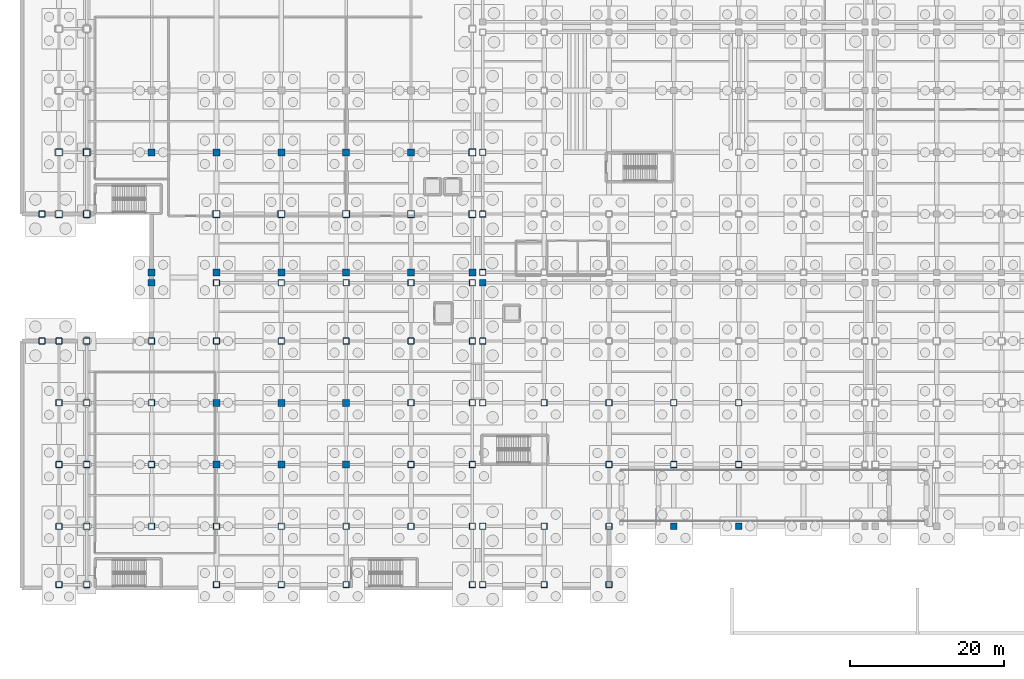
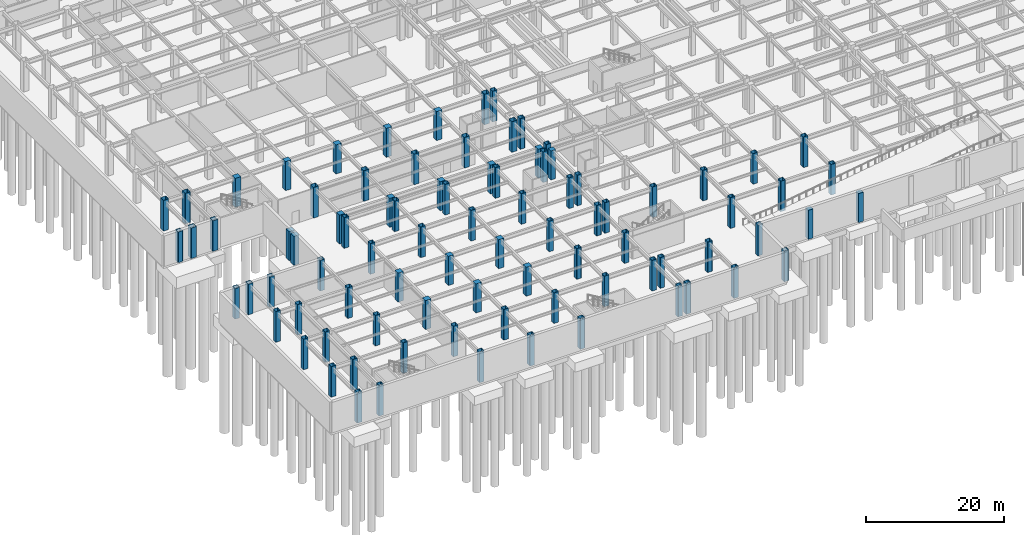
# One storey, part 15 of 55: 88 columns.
"""IFC4 building model written with IfcOpenShell, lengths in metres."""

from ifc_helpers import new_model, si_unit, direction, frame, origin, origin_2d, place, context, subcontext, project, spatial, rectangle, hollow_rectangle, extrude, material, material_profile, profile_set, type_object, element, save


model = new_model("IFC4")

# Units and contexts
model_context = context("Model", 3, precision=1e-05, world=origin(), true_north=direction((0.0, 1.0)))
body_context = subcontext(model_context, "Body", "Model", "MODEL_VIEW")
ifc_project = project(units=[si_unit("LENGTHUNIT", "METRE"), si_unit("AREAUNIT", "SQUARE_METRE"), si_unit("VOLUMEUNIT", "CUBIC_METRE"), si_unit("PLANEANGLEUNIT", "RADIAN"), si_unit("MASSUNIT", "GRAM", prefix="KILO")], contexts=[model_context])

# Site, building, storey
site_placement = place(None, origin())
site = spatial("IfcSite", under=ifc_project, at=site_placement, CompositionType="ELEMENT")
building_placement = place(site_placement, origin())
building = spatial("IfcBuilding", under=site, at=building_placement, Name="Kazehara Bluff Congress Hotel", CompositionType="ELEMENT")
storey_placement = place(building_placement, frame((0.0, 0.0, -5.39990234375)))
storey = spatial("IfcBuildingStorey", under=building, at=storey_placement, Name="B1", CompositionType="ELEMENT", Elevation=-5.39990234375)

# Columns
ifc_material_1 = material(Name="Steel BCR295", Category="steel")
ifc_material_profile_1 = material_profile(ifc_material_1, hollow_rectangle(XDim=0.89990234375, YDim=0.89990234375, WallThickness=0.031982421875, InnerFilletRadius=0.031982421875, OuterFilletRadius=0.06396484375, at=origin_2d()))
ifc_profile_set_1 = profile_set([ifc_material_profile_1], Name="Steel BCR295")
column_type_1 = type_object("IfcColumnType", Name="TP-C-01", PredefinedType="COLUMN", material=ifc_profile_set_1)
for number, where, z_axis, x_axis, name in (
    (1, (4.800048828125, 48.449951171875, 0.0), (0.0, 0.0, 1.0), (1.0, 0.0, 0.0), "B1 mega-column C-01 (4.80,48.45)"),
    (2, (4.800048828125, 56.449951171875, 0.0), (0.0, 0.0, 1.0), (1.0, 0.0, 0.0), "B1 mega-column C-01 (4.80,56.45)"),
    (3, (8.39990234375, 48.449951171875, 0.0), (0.0, 0.0, 1.0), (1.0, 0.0, 0.0), "B1 mega-column C-01 (8.40,48.45)"),
    (4, (8.39990234375, 56.449951171875, 0.0), (0.0, 0.0, 1.0), (1.0, 0.0, 0.0), "B1 mega-column C-01 (8.40,56.45)"),
    (5, (25.199951171875, 48.449951171875, 0.0), (0.0, 0.0, 1.0), (1.0, 0.0, 0.0), "B1 mega-column C-01 (25.20,48.45)"),
    (6, (33.60009765625, 48.449951171875, 0.0), (0.0, 0.0, 1.0), (1.0, 0.0, 0.0), "B1 mega-column C-01 (33.60,48.45)"),
    (7, (42.0, 48.449951171875, 0.0), (0.0, 0.0, 1.0), (1.0, 0.0, 0.0), "B1 mega-column C-01 (42.00,48.45)"),
    (8, (50.39990234375, 48.449951171875, 0.0), (0.0, 0.0, 1.0), (1.0, 0.0, 0.0), "B1 mega-column C-01 (50.40,48.45)"),
    (9, (58.35009765625, 48.449951171875, 0.0), (0.0, 0.0, 1.0), (1.0, 0.0, 0.0), "B1 mega-column C-01 (58.35,48.45)"),
    (10, (58.35009765625, 56.449951171875, 0.0), (0.0, 0.0, 1.0), (1.0, 0.0, 0.0), "B1 mega-column C-01 (58.35,56.45)"),
):
    element("IfcColumn", number, at=place(storey_placement, frame(where, z_axis=z_axis, x_axis=x_axis)), inside=storey, type_object=column_type_1, Name=name, PredefinedType="COLUMN", context=body_context, shape_type="SweptSolid", body=[
        extrude(hollow_rectangle(XDim=0.89990234375, YDim=0.89990234375, WallThickness=0.031982421875, InnerFilletRadius=0.031982421875, OuterFilletRadius=0.06396484375, at=origin_2d()), origin(), (0.0, 0.0, 1.0), 5.39990234375),
    ])
ifc_material_2 = material(Name="Steel BCR295", Category="steel")
ifc_material_profile_2 = material_profile(ifc_material_2, hollow_rectangle(XDim=0.800048828125, YDim=0.800048828125, WallThickness=0.031982421875, InnerFilletRadius=0.031982421875, OuterFilletRadius=0.06396484375, at=origin_2d()))
ifc_profile_set_2 = profile_set([ifc_material_profile_2], Name="Steel BCR295")
column_type_2 = type_object("IfcColumnType", Name="TP-C-02", PredefinedType="COLUMN", material=ifc_profile_set_2)
for number, where, z_axis, x_axis, name in (
    (11, (2.60009765625, 32.0, 0.0), (0.0, 0.0, 1.0), (1.0, 0.0, 0.0), "B1 column C-02 (2.60,32.00)"),
    (12, (2.60009765625, 48.449951171875, 0.0), (0.0, 0.0, 1.0), (1.0, 0.0, 0.0), "B1 column C-02 (2.60,48.45)"),
    (13, (4.800048828125, 0.449951171875, 0.0), (0.0, 0.0, 1.0), (1.0, 0.0, 0.0), "B1 column C-02 (4.80,0.45)"),
    (14, (4.800048828125, 8.0, 0.0), (0.0, 0.0, 1.0), (1.0, 0.0, 0.0), "B1 column C-02 (4.80,8.00)"),
    (15, (4.800048828125, 16.0, 0.0), (0.0, 0.0, 1.0), (1.0, 0.0, 0.0), "B1 column C-02 (4.80,16.00)"),
    (16, (4.800048828125, 24.0, 0.0), (0.0, 0.0, 1.0), (1.0, 0.0, 0.0), "B1 column C-02 (4.80,24.00)"),
    (17, (4.800048828125, 32.0, 0.0), (0.0, 0.0, 1.0), (1.0, 0.0, 0.0), "B1 column C-02 (4.80,32.00)"),
    (18, (8.39990234375, 0.449951171875, 0.0), (0.0, 0.0, 1.0), (1.0, 0.0, 0.0), "B1 column C-02 (8.40,0.45)"),
    (19, (8.39990234375, 8.0, 0.0), (0.0, 0.0, 1.0), (1.0, 0.0, 0.0), "B1 column C-02 (8.40,8.00)"),
    (20, (8.39990234375, 16.0, 0.0), (0.0, 0.0, 1.0), (1.0, 0.0, 0.0), "B1 column C-02 (8.40,16.00)"),
    (21, (8.39990234375, 24.0, 0.0), (0.0, 0.0, 1.0), (1.0, 0.0, 0.0), "B1 column C-02 (8.40,24.00)"),
    (22, (8.39990234375, 32.0, 0.0), (0.0, 0.0, 1.0), (1.0, 0.0, 0.0), "B1 column C-02 (8.40,32.00)"),
    (23, (16.800048828125, 8.0, 0.0), (0.0, 0.0, 1.0), (1.0, 0.0, 0.0), "B1 column C-02 (16.80,8.00)"),
    (24, (16.800048828125, 16.0, 0.0), (0.0, 0.0, 1.0), (1.0, 0.0, 0.0), "B1 column C-02 (16.80,16.00)"),
    (25, (16.800048828125, 24.0, 0.0), (0.0, 0.0, 1.0), (1.0, 0.0, 0.0), "B1 column C-02 (16.80,24.00)"),
    (26, (16.800048828125, 32.0, 0.0), (0.0, 0.0, 1.0), (1.0, 0.0, 0.0), "B1 column C-02 (16.80,32.00)"),
    (27, (25.199951171875, 0.449951171875, 0.0), (0.0, 0.0, 1.0), (1.0, 0.0, 0.0), "B1 column C-02 (25.20,0.45)"),
    (28, (25.199951171875, 8.0, 0.0), (0.0, 0.0, 1.0), (1.0, 0.0, 0.0), "B1 column C-02 (25.20,8.00)"),
    (29, (25.199951171875, 32.0, 0.0), (0.0, 0.0, 1.0), (1.0, 0.0, 0.0), "B1 column C-02 (25.20,32.00)"),
    (30, (25.199951171875, 39.550048828125, 0.0), (0.0, 0.0, 1.0), (1.0, 0.0, 0.0), "B1 column C-02 (25.20,39.55)"),
    (31, (33.60009765625, 0.449951171875, 0.0), (0.0, 0.0, 1.0), (1.0, 0.0, 0.0), "B1 column C-02 (33.60,0.45)"),
    (32, (33.60009765625, 8.0, 0.0), (0.0, 0.0, 1.0), (1.0, 0.0, 0.0), "B1 column C-02 (33.60,8.00)"),
    (33, (33.60009765625, 32.0, 0.0), (0.0, 0.0, 1.0), (1.0, 0.0, 0.0), "B1 column C-02 (33.60,32.00)"),
    (34, (33.60009765625, 39.550048828125, 0.0), (0.0, 0.0, 1.0), (1.0, 0.0, 0.0), "B1 column C-02 (33.60,39.55)"),
    (35, (42.0, 0.449951171875, 0.0), (0.0, 0.0, 1.0), (1.0, 0.0, 0.0), "B1 column C-02 (42.00,0.45)"),
    (36, (42.0, 8.0, 0.0), (0.0, 0.0, 1.0), (1.0, 0.0, 0.0), "B1 column C-02 (42.00,8.00)"),
    (37, (42.0, 32.0, 0.0), (0.0, 0.0, 1.0), (1.0, 0.0, 0.0), "B1 column C-02 (42.00,32.00)"),
    (38, (42.0, 39.550048828125, 0.0), (0.0, 0.0, 1.0), (1.0, 0.0, 0.0), "B1 column C-02 (42.00,39.55)"),
    (39, (50.39990234375, 8.0, 0.0), (0.0, 0.0, 1.0), (1.0, 0.0, 0.0), "B1 column C-02 (50.40,8.00)"),
    (40, (50.39990234375, 16.0, 0.0), (0.0, 0.0, 1.0), (1.0, 0.0, 0.0), "B1 column C-02 (50.40,16.00)"),
    (41, (50.39990234375, 24.0, 0.0), (0.0, 0.0, 1.0), (1.0, 0.0, 0.0), "B1 column C-02 (50.40,24.00)"),
    (42, (50.39990234375, 32.0, 0.0), (0.0, 0.0, 1.0), (1.0, 0.0, 0.0), "B1 column C-02 (50.40,32.00)"),
    (43, (50.39990234375, 39.550048828125, 0.0), (0.0, 0.0, 1.0), (1.0, 0.0, 0.0), "B1 column C-02 (50.40,39.55)"),
    (44, (58.35009765625, 0.449951171875, 0.0), (0.0, 0.0, 1.0), (1.0, 0.0, 0.0), "B1 column C-02 (58.35,0.45)"),
    (45, (58.35009765625, 8.0, 0.0), (0.0, 0.0, 1.0), (1.0, 0.0, 0.0), "B1 column C-02 (58.35,8.00)"),
    (46, (58.35009765625, 16.0, 0.0), (0.0, 0.0, 1.0), (1.0, 0.0, 0.0), "B1 column C-02 (58.35,16.00)"),
    (47, (58.35009765625, 24.0, 0.0), (0.0, 0.0, 1.0), (1.0, 0.0, 0.0), "B1 column C-02 (58.35,24.00)"),
    (48, (58.35009765625, 32.0, 0.0), (0.0, 0.0, 1.0), (1.0, 0.0, 0.0), "B1 column C-02 (58.35,32.00)"),
    (49, (58.35009765625, 39.550048828125, 0.0), (0.0, 0.0, 1.0), (1.0, 0.0, 0.0), "B1 column C-02 (58.35,39.55)"),
    (50, (59.699951171875, 0.449951171875, 0.0), (0.0, 0.0, 1.0), (1.0, 0.0, 0.0), "B1 column C-02 (59.70,0.45)"),
    (51, (59.699951171875, 8.0, 0.0), (0.0, 0.0, 1.0), (1.0, 0.0, 0.0), "B1 column C-02 (59.70,8.00)"),
    (52, (59.699951171875, 24.0, 0.0), (0.0, 0.0, 1.0), (1.0, 0.0, 0.0), "B1 column C-02 (59.70,24.00)"),
    (53, (59.699951171875, 32.0, 0.0), (0.0, 0.0, 1.0), (1.0, 0.0, 0.0), "B1 column C-02 (59.70,32.00)"),
    (54, (59.699951171875, 40.89990234375, 0.0), (0.0, 0.0, 1.0), (1.0, 0.0, 0.0), "B1 column C-02 (59.70,40.90)"),
    (55, (59.699951171875, 48.449951171875, 0.0), (0.0, 0.0, 1.0), (1.0, 0.0, 0.0), "B1 column C-02 (59.70,48.45)"),
    (56, (59.699951171875, 56.449951171875, 0.0), (0.0, 0.0, 1.0), (1.0, 0.0, 0.0), "B1 column C-02 (59.70,56.45)"),
    (57, (67.64990234375, 0.449951171875, 0.0), (0.0, 0.0, 1.0), (1.0, 0.0, 0.0), "B1 column C-02 (67.65,0.45)"),
    (58, (67.64990234375, 8.0, 0.0), (0.0, 0.0, 1.0), (1.0, 0.0, 0.0), "B1 column C-02 (67.65,8.00)"),
    (59, (67.64990234375, 24.0, 0.0), (0.0, 0.0, 1.0), (1.0, 0.0, 0.0), "B1 column C-02 (67.65,24.00)"),
    (60, (76.050048828125, 0.449951171875, 0.0), (0.0, 0.0, 1.0), (1.0, 0.0, 0.0), "B1 column C-02 (76.05,0.45)"),
    (61, (76.050048828125, 8.0, 0.0), (0.0, 0.0, 1.0), (1.0, 0.0, 0.0), "B1 column C-02 (76.05,8.00)"),
    (62, (76.050048828125, 16.0, 0.0), (0.0, 0.0, 1.0), (1.0, 0.0, 0.0), "B1 column C-02 (76.05,16.00)"),
    (63, (76.050048828125, 24.0, 0.0), (0.0, 0.0, 1.0), (1.0, 0.0, 0.0), "B1 column C-02 (76.05,24.00)"),
    (64, (84.449951171875, 16.0, 0.0), (0.0, 0.0, 1.0), (1.0, 0.0, 0.0), "B1 column C-02 (84.45,16.00)"),
    (65, (84.449951171875, 24.0, 0.0), (0.0, 0.0, 1.0), (1.0, 0.0, 0.0), "B1 column C-02 (84.45,24.00)"),
    (66, (92.85009765625, 16.0, 0.0), (0.0, 0.0, 1.0), (1.0, 0.0, 0.0), "B1 column C-02 (92.85,16.00)"),
    (67, (92.85009765625, 24.0, 0.0), (0.0, 0.0, 1.0), (1.0, 0.0, 0.0), "B1 column C-02 (92.85,24.00)"),
):
    element("IfcColumn", number, at=place(storey_placement, frame(where, z_axis=z_axis, x_axis=x_axis)), inside=storey, type_object=column_type_2, Name=name, PredefinedType="COLUMN", context=body_context, shape_type="SweptSolid", body=[
        extrude(hollow_rectangle(XDim=0.800048828125, YDim=0.800048828125, WallThickness=0.031982421875, InnerFilletRadius=0.031982421875, OuterFilletRadius=0.06396484375, at=origin_2d()), origin(), (0.0, 0.0, 1.0), 5.39990234375),
    ])
ifc_material_3 = material(Name="Concrete C40/50", Category="concrete")
ifc_material_profile_3 = material_profile(ifc_material_3, rectangle(XDim=0.89990234375, YDim=0.89990234375, at=origin_2d()))
ifc_profile_set_3 = profile_set([ifc_material_profile_3], Name="Concrete C40/50")
column_type_3 = type_object("IfcColumnType", Name="TP-C-12", PredefinedType="COLUMN", material=ifc_profile_set_3)
for number, where, z_axis, x_axis, name in (
    (68, (16.800048828125, 39.550048828125, 0.0), (0.0, 0.0, 1.0), (1.0, 0.0, 0.0), "B1 column C-12 (16.80,39.55)"),
    (69, (16.800048828125, 40.89990234375, 0.0), (0.0, 0.0, 1.0), (1.0, 0.0, 0.0), "B1 column C-12 (16.80,40.90)"),
    (70, (16.800048828125, 56.449951171875, 0.0), (0.0, 0.0, 1.0), (1.0, 0.0, 0.0), "B1 column C-12 (16.80,56.45)"),
    (71, (25.199951171875, 16.0, 0.0), (0.0, 0.0, 1.0), (1.0, 0.0, 0.0), "B1 column C-12 (25.20,16.00)"),
    (72, (25.199951171875, 24.0, 0.0), (0.0, 0.0, 1.0), (1.0, 0.0, 0.0), "B1 column C-12 (25.20,24.00)"),
    (73, (25.199951171875, 40.89990234375, 0.0), (0.0, 0.0, 1.0), (1.0, 0.0, 0.0), "B1 column C-12 (25.20,40.90)"),
    (74, (25.199951171875, 56.449951171875, 0.0), (0.0, 0.0, 1.0), (1.0, 0.0, 0.0), "B1 column C-12 (25.20,56.45)"),
    (75, (33.60009765625, 16.0, 0.0), (0.0, 0.0, 1.0), (1.0, 0.0, 0.0), "B1 column C-12 (33.60,16.00)"),
    (76, (33.60009765625, 24.0, 0.0), (0.0, 0.0, 1.0), (1.0, 0.0, 0.0), "B1 column C-12 (33.60,24.00)"),
    (77, (33.60009765625, 40.89990234375, 0.0), (0.0, 0.0, 1.0), (1.0, 0.0, 0.0), "B1 column C-12 (33.60,40.90)"),
    (78, (33.60009765625, 56.449951171875, 0.0), (0.0, 0.0, 1.0), (1.0, 0.0, 0.0), "B1 column C-12 (33.60,56.45)"),
    (79, (42.0, 16.0, 0.0), (0.0, 0.0, 1.0), (1.0, 0.0, 0.0), "B1 column C-12 (42.00,16.00)"),
    (80, (42.0, 24.0, 0.0), (0.0, 0.0, 1.0), (1.0, 0.0, 0.0), "B1 column C-12 (42.00,24.00)"),
    (81, (42.0, 40.89990234375, 0.0), (0.0, 0.0, 1.0), (1.0, 0.0, 0.0), "B1 column C-12 (42.00,40.90)"),
    (82, (42.0, 56.449951171875, 0.0), (0.0, 0.0, 1.0), (1.0, 0.0, 0.0), "B1 column C-12 (42.00,56.45)"),
    (83, (50.39990234375, 40.89990234375, 0.0), (0.0, 0.0, 1.0), (1.0, 0.0, 0.0), "B1 column C-12 (50.40,40.90)"),
    (84, (50.39990234375, 56.449951171875, 0.0), (0.0, 0.0, 1.0), (1.0, 0.0, 0.0), "B1 column C-12 (50.40,56.45)"),
    (85, (58.35009765625, 40.89990234375, 0.0), (0.0, 0.0, 1.0), (1.0, 0.0, 0.0), "B1 column C-12 (58.35,40.90)"),
):
    element("IfcColumn", number, at=place(storey_placement, frame(where, z_axis=z_axis, x_axis=x_axis)), inside=storey, type_object=column_type_3, Name=name, PredefinedType="COLUMN", context=body_context, shape_type="SweptSolid", body=[
        extrude(rectangle(XDim=0.89990234375, YDim=0.89990234375, at=origin_2d()), origin(), (0.0, 0.0, 1.0), 5.119873046875),
    ])
ifc_material_4 = material(Name="Concrete C40/50", Category="concrete")
ifc_material_profile_4 = material_profile(ifc_material_4, rectangle(XDim=0.800048828125, YDim=0.800048828125, at=origin_2d()))
ifc_profile_set_4 = profile_set([ifc_material_profile_4], Name="Concrete C40/50")
column_type_4 = type_object("IfcColumnType", Name="TP-C-13", PredefinedType="COLUMN", material=ifc_profile_set_4)
for number, where, z_axis, x_axis, name in (
    (86, (59.699951171875, 39.550048828125, 0.0), (0.0, 0.0, 1.0), (1.0, 0.0, 0.0), "B1 column C-13 (59.70,39.55)"),
    (87, (84.449951171875, 8.0, 0.0), (0.0, 0.0, 1.0), (1.0, 0.0, 0.0), "B1 column C-13 (84.45,8.00)"),
    (88, (92.85009765625, 8.0, 0.0), (0.0, 0.0, 1.0), (1.0, 0.0, 0.0), "B1 column C-13 (92.85,8.00)"),
):
    element("IfcColumn", number, at=place(storey_placement, frame(where, z_axis=z_axis, x_axis=x_axis)), inside=storey, type_object=column_type_4, Name=name, PredefinedType="COLUMN", context=body_context, shape_type="SweptSolid", body=[
        extrude(rectangle(XDim=0.800048828125, YDim=0.800048828125, at=origin_2d()), origin(), (0.0, 0.0, 1.0), 5.119873046875),
    ])

save(model, "model.ifc")
